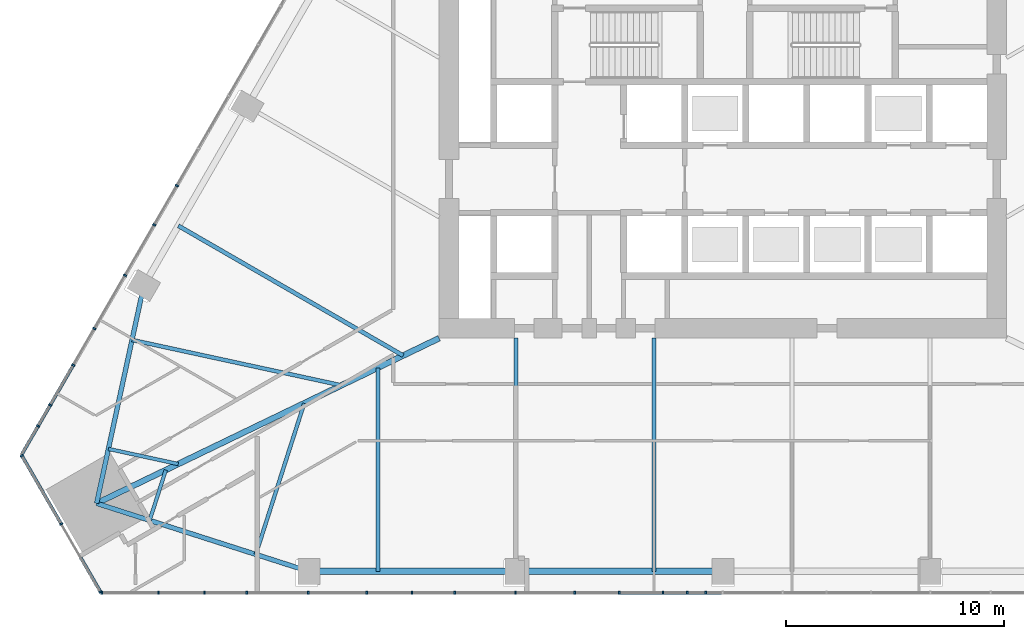
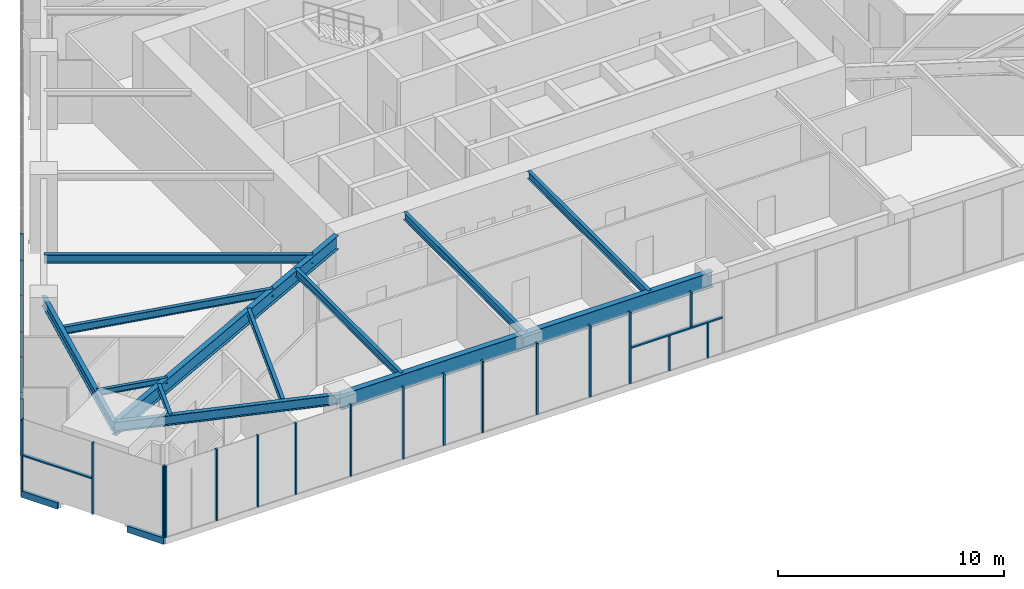
# One storey, part 2 of 21: 29 members, 12 beams, 3 elements without a shape of their own.
"""IFC4 building model written with IfcOpenShell, lengths in metres."""

from ifc_helpers import new_model, si_unit, direction, frame, origin, origin_2d, place, context, subcontext, project, spatial, rectangle, i_section, extrude, material, layer, layer_set, material_profile, profile_set, type_object, element, aggregate, save


model = new_model("IFC4")

# Units and contexts
model_context = context("Model", 3, precision=1e-05, world=origin(), true_north=direction((0.0, 1.0)))
body_context = subcontext(model_context, "Body", "Model", "MODEL_VIEW")
ifc_project = project(units=[si_unit("LENGTHUNIT", "METRE"), si_unit("AREAUNIT", "SQUARE_METRE"), si_unit("VOLUMEUNIT", "CUBIC_METRE"), si_unit("PLANEANGLEUNIT", "RADIAN"), si_unit("MASSUNIT", "GRAM", prefix="KILO")], contexts=[model_context])

# Site, building, storey
site_placement = place(None, origin())
site = spatial("IfcSite", under=ifc_project, at=site_placement, CompositionType="ELEMENT")
building_placement = place(site_placement, origin())
building = spatial("IfcBuilding", under=site, at=building_placement, Name="Firuza Gate Tower and Library", CompositionType="ELEMENT")
storey_placement = place(building_placement, frame((0.0, 0.0, 69.39990234375)))
storey = spatial("IfcBuildingStorey", under=building, at=storey_placement, Name="L15", CompositionType="ELEMENT", Elevation=69.39990234375)

# Curtain wall, members
ifc_material_1 = material(Name="Aluminium 6063-T6", Category="aluminium")
ifc_layer_1 = layer(ifc_material_1, 0.14990234375)
ifc_layer_set_1 = layer_set([ifc_layer_1], Name="Unitised curtain wall, offices")
curtain_wall_type_1 = type_object("IfcCurtainWallType", Name="Unitised curtain wall, offices", PredefinedType="NOTDEFINED", material=ifc_layer_set_1)
placement = place(storey_placement, origin())
curtain_wall_1 = element("IfcCurtainWall", 1, at=placement, inside=storey, type_object=curtain_wall_type_1, Name="CW1 L15 S face", PredefinedType="NOTDEFINED")
ifc_material_2 = material(Name="Aluminium 6063-T6", Category="aluminium")
ifc_material_profile_1 = material_profile(ifc_material_2, rectangle(XDim=0.14990234375, YDim=0.080078125, at=origin_2d()))
ifc_profile_set_1 = profile_set([ifc_material_profile_1], Name="Aluminium 6063-T6")
member_type_1 = type_object("IfcMemberType", Name="Curtain wall mullion 80x150", PredefinedType="MULLION", material=ifc_profile_set_1)
member_1_placement = place(storey_placement, frame((46.540771484375, 54.339111328125, 0.150146484375), z_axis=(0.0, 0.0, 1.0), x_axis=(0.0, 1.0, 0.0)))
member_1 = element("IfcMember", 2, at=member_1_placement, type_object=member_type_1, Name="Mullion", PredefinedType="MULLION", context=body_context, shape_type="SweptSolid", body=[
    extrude(rectangle(XDim=0.14990234375, YDim=0.080078125, at=origin_2d()), origin(), (0.0, 0.0, 1.0), 3.849853515625),
])
member_2_placement = place(storey_placement, frame((51.250732421875, 54.339111328125, 0.150146484375), z_axis=(0.0, 0.0, 1.0), x_axis=(0.0, 1.0, 0.0)))
member_2 = element("IfcMember", 3, at=member_2_placement, type_object=member_type_1, Name="Mullion", PredefinedType="MULLION", context=body_context, shape_type="SweptSolid", body=[
    extrude(rectangle(XDim=0.14990234375, YDim=0.080078125, at=origin_2d()), origin(), (0.0, 0.0, 1.0), 3.849853515625),
])
member_3_placement = place(storey_placement, frame((56.00048828125, 54.339111328125, 0.150146484375), z_axis=(0.0, 0.0, 1.0), x_axis=(0.0, 1.0, 0.0)))
member_3 = element("IfcMember", 4, at=member_3_placement, type_object=member_type_1, Name="Mullion", PredefinedType="MULLION", context=body_context, shape_type="SweptSolid", body=[
    extrude(rectangle(XDim=0.14990234375, YDim=0.080078125, at=origin_2d()), origin(), (0.0, 0.0, 1.0), 3.849853515625),
])
member_4_placement = place(storey_placement, frame((60.75048828125, 54.339111328125, 0.150146484375), z_axis=(0.0, 0.0, 1.0), x_axis=(0.0, 1.0, 0.0)))
member_4 = element("IfcMember", 5, at=member_4_placement, type_object=member_type_1, Name="Mullion", PredefinedType="MULLION", context=body_context, shape_type="SweptSolid", body=[
    extrude(rectangle(XDim=0.14990234375, YDim=0.080078125, at=origin_2d()), origin(), (0.0, 0.0, 1.0), 3.849853515625),
])
member_5_placement = place(storey_placement, frame((65.500244140625, 54.339111328125, 0.150146484375), z_axis=(0.0, 0.0, 1.0), x_axis=(0.0, 1.0, 0.0)))
member_5 = element("IfcMember", 6, at=member_5_placement, type_object=member_type_1, Name="Mullion", PredefinedType="MULLION", context=body_context, shape_type="SweptSolid", body=[
    extrude(rectangle(XDim=0.14990234375, YDim=0.080078125, at=origin_2d()), origin(), (0.0, 0.0, 1.0), 3.849853515625),
])
member_6_placement = place(storey_placement, frame((70.250244140625, 54.339111328125, 0.150146484375), z_axis=(0.0, 0.0, 1.0), x_axis=(0.0, 1.0, 0.0)))
member_6 = element("IfcMember", 7, at=member_6_placement, type_object=member_type_1, Name="Mullion", PredefinedType="MULLION", context=body_context, shape_type="SweptSolid", body=[
    extrude(rectangle(XDim=0.14990234375, YDim=0.080078125, at=origin_2d()), origin(), (0.0, 0.0, 1.0), 3.849853515625),
])
member_7_placement = place(storey_placement, frame((49.142578125, 54.339111328125, 0.150146484375), z_axis=(0.0, 0.0, 1.0), x_axis=(0.0, 1.0, 0.0)))
member_7 = element("IfcMember", 8, at=member_7_placement, type_object=member_type_1, Name="Mullion", PredefinedType="MULLION", context=body_context, shape_type="SweptSolid", body=[
    extrude(rectangle(XDim=0.14990234375, YDim=0.080078125, at=origin_2d()), origin(), (0.0, 0.0, 1.0), 3.849853515625),
])
member_8_placement = place(storey_placement, frame((53.18505859375, 54.339111328125, 0.150146484375), z_axis=(0.0, 0.0, 1.0), x_axis=(0.0, 1.0, 0.0)))
member_8 = element("IfcMember", 9, at=member_8_placement, type_object=member_type_1, Name="Mullion", PredefinedType="MULLION", context=body_context, shape_type="SweptSolid", body=[
    extrude(rectangle(XDim=0.14990234375, YDim=0.080078125, at=origin_2d()), origin(), (0.0, 0.0, 1.0), 3.849853515625),
])
member_9_placement = place(storey_placement, frame((58.677001953125, 54.339111328125, 0.150146484375), z_axis=(0.0, 0.0, 1.0), x_axis=(0.0, 1.0, 0.0)))
member_9 = element("IfcMember", 10, at=member_9_placement, type_object=member_type_1, Name="Mullion", PredefinedType="MULLION", context=body_context, shape_type="SweptSolid", body=[
    extrude(rectangle(XDim=0.14990234375, YDim=0.080078125, at=origin_2d()), origin(), (0.0, 0.0, 1.0), 3.849853515625),
])
member_10_placement = place(storey_placement, frame((62.7197265625, 54.339111328125, 0.150146484375), z_axis=(0.0, 0.0, 1.0), x_axis=(0.0, 1.0, 0.0)))
member_10 = element("IfcMember", 11, at=member_10_placement, type_object=member_type_1, Name="Mullion", PredefinedType="MULLION", context=body_context, shape_type="SweptSolid", body=[
    extrude(rectangle(XDim=0.14990234375, YDim=0.080078125, at=origin_2d()), origin(), (0.0, 0.0, 1.0), 3.849853515625),
])
member_11_placement = place(storey_placement, frame((68.21142578125, 54.339111328125, 0.150146484375), z_axis=(0.0, 0.0, 1.0), x_axis=(0.0, 1.0, 0.0)))
member_11 = element("IfcMember", 12, at=member_11_placement, type_object=member_type_1, Name="Mullion", PredefinedType="MULLION", context=body_context, shape_type="SweptSolid", body=[
    extrude(rectangle(XDim=0.14990234375, YDim=0.080078125, at=origin_2d()), origin(), (0.0, 0.0, 1.0), 3.849853515625),
])
member_12_placement = place(storey_placement, frame((72.254150390625, 54.339111328125, 0.150146484375), z_axis=(0.0, 0.0, 1.0), x_axis=(0.0, 1.0, 0.0)))
member_12 = element("IfcMember", 13, at=member_12_placement, type_object=member_type_1, Name="Mullion", PredefinedType="MULLION", context=body_context, shape_type="SweptSolid", body=[
    extrude(rectangle(XDim=0.14990234375, YDim=0.080078125, at=origin_2d()), origin(), (0.0, 0.0, 1.0), 1.885009765625),
])
member_13_placement = place(storey_placement, frame((74.21875, 54.339111328125, 0.150146484375), z_axis=(0.0, 0.0, 1.0), x_axis=(0.0, 1.0, 0.0)))
member_13 = element("IfcMember", 14, at=member_13_placement, type_object=member_type_1, Name="Mullion", PredefinedType="MULLION", context=body_context, shape_type="SweptSolid", body=[
    extrude(rectangle(XDim=0.14990234375, YDim=0.080078125, at=origin_2d()), origin(), (0.0, 0.0, 1.0), 1.885009765625),
])
member_14_placement = place(storey_placement, frame((73.369384765625, 54.339111328125, 2.114990234375), z_axis=(0.0, 0.0, 1.0), x_axis=(0.0, 1.0, 0.0)))
member_14 = element("IfcMember", 15, at=member_14_placement, type_object=member_type_1, Name="Mullion", PredefinedType="MULLION", context=body_context, shape_type="SweptSolid", body=[
    extrude(rectangle(XDim=0.14990234375, YDim=0.080078125, at=origin_2d()), origin(), (0.0, 0.0, 1.0), 1.885009765625),
])

curtain_wall_2 = element("IfcCurtainWall", 16, at=placement, inside=storey, type_object=curtain_wall_type_1, Name="CW1 L15 W face", PredefinedType="NOTDEFINED")
member_15_placement = place(storey_placement, frame((49.982177734375, 72.989990234375, 0.150146484375), z_axis=(0.0, 0.0, 1.0), x_axis=(0.866025403784, -0.5, 0.0)))
member_15 = element("IfcMember", 17, at=member_15_placement, type_object=member_type_1, Name="Mullion", PredefinedType="MULLION", context=body_context, shape_type="SweptSolid", body=[
    extrude(rectangle(XDim=0.14990234375, YDim=0.080078125, at=origin_2d()), origin(), (0.0, 0.0, 1.0), 3.849853515625),
])
member_16_placement = place(storey_placement, frame((47.607421875, 68.87646484375, 0.150146484375), z_axis=(0.0, 0.0, 1.0), x_axis=(0.866025403784, -0.5, 0.0)))
member_16 = element("IfcMember", 18, at=member_16_placement, type_object=member_type_1, Name="Mullion", PredefinedType="MULLION", context=body_context, shape_type="SweptSolid", body=[
    extrude(rectangle(XDim=0.14990234375, YDim=0.080078125, at=origin_2d()), origin(), (0.0, 0.0, 1.0), 3.849853515625),
])
member_17_placement = place(storey_placement, frame((45.232421875, 64.762939453125, 0.150146484375), z_axis=(0.0, 0.0, 1.0), x_axis=(0.866025403784, -0.5, 0.0)))
member_17 = element("IfcMember", 19, at=member_17_placement, type_object=member_type_1, Name="Mullion", PredefinedType="MULLION", context=body_context, shape_type="SweptSolid", body=[
    extrude(rectangle(XDim=0.14990234375, YDim=0.080078125, at=origin_2d()), origin(), (0.0, 0.0, 1.0), 3.849853515625),
])
member_18_placement = place(storey_placement, frame((48.945556640625, 71.1943359375, 0.150146484375), z_axis=(0.0, 0.0, 1.0), x_axis=(0.866025403784, -0.5, 0.0)))
member_18 = element("IfcMember", 20, at=member_18_placement, type_object=member_type_1, Name="Mullion", PredefinedType="MULLION", context=body_context, shape_type="SweptSolid", body=[
    extrude(rectangle(XDim=0.14990234375, YDim=0.080078125, at=origin_2d()), origin(), (0.0, 0.0, 1.0), 3.849853515625),
])
member_19_placement = place(storey_placement, frame((46.19970703125, 66.438232421875, 0.150146484375), z_axis=(0.0, 0.0, 1.0), x_axis=(0.866025403784, -0.5, 0.0)))
member_19 = element("IfcMember", 21, at=member_19_placement, type_object=member_type_1, Name="Mullion", PredefinedType="MULLION", context=body_context, shape_type="SweptSolid", body=[
    extrude(rectangle(XDim=0.14990234375, YDim=0.080078125, at=origin_2d()), origin(), (0.0, 0.0, 1.0), 3.849853515625),
])
member_20_placement = place(storey_placement, frame((44.178466796875, 62.937255859375, 0.150146484375), z_axis=(0.0, 0.0, 1.0), x_axis=(0.866025403784, -0.5, 0.0)))
member_20 = element("IfcMember", 22, at=member_20_placement, type_object=member_type_1, Name="Mullion", PredefinedType="MULLION", context=body_context, shape_type="SweptSolid", body=[
    extrude(rectangle(XDim=0.14990234375, YDim=0.080078125, at=origin_2d()), origin(), (0.0, 0.0, 1.0), 1.885009765625),
])
member_21_placement = place(storey_placement, frame((43.620849609375, 61.971435546875, 2.114990234375), z_axis=(0.0, 0.0, 1.0), x_axis=(0.866025403784, -0.5, 0.0)))
member_21 = element("IfcMember", 23, at=member_21_placement, type_object=member_type_1, Name="Mullion", PredefinedType="MULLION", context=body_context, shape_type="SweptSolid", body=[
    extrude(rectangle(XDim=0.14990234375, YDim=0.080078125, at=origin_2d()), origin(), (0.0, 0.0, 1.0), 1.885009765625),
])

ifc_material_3 = material(Name="Aluminium 6063-T6", Category="aluminium")
ifc_layer_2 = layer(ifc_material_3, 0.14990234375)
ifc_layer_set_2 = layer_set([ifc_layer_2], Name="Corner curtain wall, chamfers")
curtain_wall_type_2 = type_object("IfcCurtainWallType", Name="Corner curtain wall, chamfers", PredefinedType="NOTDEFINED", material=ifc_layer_set_2)
curtain_wall_3 = element("IfcCurtainWall", 24, at=placement, inside=storey, type_object=curtain_wall_type_2, Name="CW4 L15 SW corner", PredefinedType="NOTDEFINED")
member_22_placement = place(storey_placement, frame((42.87744140625, 60.61474609375, 0.150146484375), z_axis=(0.0, 0.0, 1.0), x_axis=(0.866025403784, 0.5, 0.0)))
member_22 = element("IfcMember", 25, at=member_22_placement, type_object=member_type_1, Name="Mullion", PredefinedType="MULLION", context=body_context, shape_type="SweptSolid", body=[
    extrude(rectangle(XDim=0.14990234375, YDim=0.080078125, at=origin_2d()), origin(), (0.0, 0.0, 1.0), 3.849853515625),
])
member_23_placement = place(storey_placement, frame((44.67919921875, 57.494140625, 0.150146484375), z_axis=(0.0, 0.0, 1.0), x_axis=(0.866025403784, 0.5, 0.0)))
member_23 = element("IfcMember", 26, at=member_23_placement, type_object=member_type_1, Name="Mullion", PredefinedType="MULLION", context=body_context, shape_type="SweptSolid", body=[
    extrude(rectangle(XDim=0.14990234375, YDim=0.080078125, at=origin_2d()), origin(), (0.0, 0.0, 1.0), 3.849853515625),
])
member_24_placement = place(storey_placement, frame((46.480712890625, 54.373779296875, 0.150146484375), z_axis=(0.0, 0.0, 1.0), x_axis=(0.866025403784, 0.5, 0.0)))
member_24 = element("IfcMember", 27, at=member_24_placement, type_object=member_type_1, Name="Mullion", PredefinedType="MULLION", context=body_context, shape_type="SweptSolid", body=[
    extrude(rectangle(XDim=0.14990234375, YDim=0.080078125, at=origin_2d()), origin(), (0.0, 0.0, 1.0), 3.849853515625),
])
ifc_material_4 = material(Name="Aluminium 6063-T6", Category="aluminium")
ifc_material_profile_2 = material_profile(ifc_material_4, rectangle(XDim=0.14990234375, YDim=0.35009765625, at=origin_2d()))
ifc_profile_set_2 = profile_set([ifc_material_profile_2], Name="Aluminium 6063-T6")
member_type_2 = type_object("IfcMemberType", Name="Curtain wall transom 350x150", PredefinedType="USERDEFINED", material=ifc_profile_set_2)
member_25_placement = place(storey_placement, frame((42.857421875, 60.6494140625, -0.02490234375), z_axis=(0.500070225731, -0.865984855143, 0.0), x_axis=(0.865984855143, 0.500070225731, 0.0)))
member_25 = element("IfcMember", 28, at=member_25_placement, type_object=member_type_2, Name="Transom", ObjectType="TRANSOM", PredefinedType="USERDEFINED", context=body_context, shape_type="SweptSolid", body=[
    extrude(rectangle(XDim=0.14990234375, YDim=0.35009765625, at=origin_2d()), origin(), (0.0, 0.0, 1.0), 1.863525390625),
])
member_26_placement = place(storey_placement, frame((45.569091796875, 55.952880859375, -0.02490234375), z_axis=(0.499971966783, -0.866041588165, 0.0), x_axis=(0.866041588165, 0.499971966783, 0.0)))
member_26 = element("IfcMember", 29, at=member_26_placement, type_object=member_type_2, Name="Transom", ObjectType="TRANSOM", PredefinedType="USERDEFINED", context=body_context, shape_type="SweptSolid", body=[
    extrude(rectangle(XDim=0.14990234375, YDim=0.35009765625, at=origin_2d()), origin(), (0.0, 0.0, 1.0), 1.86328125),
])

# Member
ifc_material_5 = material(Name="Aluminium 6063-T6", Category="aluminium")
ifc_material_profile_3 = material_profile(ifc_material_5, rectangle(XDim=0.14990234375, YDim=0.080078125, at=origin_2d()))
ifc_profile_set_3 = profile_set([ifc_material_profile_3], Name="Aluminium 6063-T6")
member_type_3 = type_object("IfcMemberType", Name="Curtain wall transom 80x150", PredefinedType="USERDEFINED", material=ifc_profile_set_3)
member_27_placement = place(storey_placement, frame((70.2900390625, 54.339111328125, 2.0751953125), z_axis=(1.0, 0.0, 0.0), x_axis=(0.0, 1.0, 0.0)))
member_27 = element("IfcMember", 30, at=member_27_placement, type_object=member_type_3, Name="Transom", ObjectType="TRANSOM", PredefinedType="USERDEFINED", context=body_context, shape_type="SweptSolid", body=[
    extrude(rectangle(XDim=0.14990234375, YDim=0.080078125, at=origin_2d()), origin(), (0.0, 0.0, 1.0), 4.669921875),
])

aggregate(curtain_wall_1, [member_1, member_2, member_3, member_4, member_5, member_6, member_7, member_8, member_9, member_10, member_11, member_12, member_13, member_14, member_27])

member_28_placement = place(storey_placement, frame((45.21240234375, 64.728271484375, 2.0751953125), z_axis=(-0.500007559336, -0.866021039356, 0.0), x_axis=(0.866021039356, -0.500007559336, 0.0)))
member_28 = element("IfcMember", 31, at=member_28_placement, type_object=member_type_3, Name="Transom", ObjectType="TRANSOM", PredefinedType="USERDEFINED", context=body_context, shape_type="SweptSolid", body=[
    extrude(rectangle(XDim=0.14990234375, YDim=0.080078125, at=origin_2d()), origin(), (0.0, 0.0, 1.0), 4.669921875),
])

aggregate(curtain_wall_2, [member_15, member_16, member_17, member_18, member_19, member_20, member_21, member_28])

member_29_placement = place(storey_placement, frame((42.87744140625, 60.61474609375, 2.0751953125), z_axis=(0.500015035186, -0.866016723041, 0.0), x_axis=(0.866016723041, 0.500015035186, 0.0)))
member_29 = element("IfcMember", 32, at=member_29_placement, type_object=member_type_3, Name="Transom", ObjectType="TRANSOM", PredefinedType="USERDEFINED", context=body_context, shape_type="SweptSolid", body=[
    extrude(rectangle(XDim=0.14990234375, YDim=0.080078125, at=origin_2d()), origin(), (0.0, 0.0, 1.0), 3.5634765625),
])

aggregate(curtain_wall_3, [member_22, member_23, member_24, member_25, member_26, member_29])

# Beams
ifc_material_6 = material(Name="Steel S355", Category="steel")
ifc_material_profile_4 = material_profile(ifc_material_6, i_section(OverallWidth=0.1650390625, OverallDepth=0.31005859375, WebThickness=0.005859375, FlangeThickness=0.009765625, at=origin_2d()))
ifc_profile_set_4 = profile_set([ifc_material_profile_4], Name="Steel S355")
beam_type_1 = type_object("IfcBeamType", Name="W310x39 Floor beam", PredefinedType="JOIST", material=ifc_profile_set_4)
beam_1_placement = place(storey_placement, frame((46.84375, 60.92724609375, 3.84521484375), z_axis=(0.97732159581, -0.211760474035, 0.0), x_axis=(0.211760474035, 0.97732159581, 0.0)))
element("IfcBeam", 33, at=beam_1_placement, inside=storey, type_object=beam_type_1, Name="Floor beam L15 s01", PredefinedType="JOIST", context=body_context, shape_type="SweptSolid", body=[
    extrude(i_section(OverallWidth=0.1650390625, OverallDepth=0.31005859375, WebThickness=0.005859375, FlangeThickness=0.009765625, at=origin_2d()), origin(), (0.0, 0.0, 1.0), 3.27197265625),
])
beam_2_placement = place(storey_placement, frame((48.734619140625, 57.65234375, 3.84521484375), z_axis=(0.305239756839, 0.952275533049, 0.0), x_axis=(-0.952275533049, 0.305239756839, 0.0)))
element("IfcBeam", 34, at=beam_2_placement, inside=storey, type_object=beam_type_1, Name="Floor beam L15 s10", PredefinedType="JOIST", context=body_context, shape_type="SweptSolid", body=[
    extrude(i_section(OverallWidth=0.1650390625, OverallDepth=0.31005859375, WebThickness=0.005859375, FlangeThickness=0.009765625, at=origin_2d()), origin(), (0.0, 0.0, 1.0), 2.42431640625),
])
ifc_material_7 = material(Name="Steel S355", Category="steel")
ifc_material_profile_5 = material_profile(ifc_material_7, i_section(OverallWidth=0.1708984375, OverallDepth=0.35498046875, WebThickness=0.007080078125, FlangeThickness=0.01171875, at=origin_2d()))
ifc_profile_set_5 = profile_set([ifc_material_profile_5], Name="Steel S355")
beam_type_2 = type_object("IfcBeamType", Name="W360x51 Floor beam", PredefinedType="JOIST", material=ifc_profile_set_5)
beam_3_placement = place(storey_placement, frame((53.597900390625, 56.093505859375, 3.822509765625), z_axis=(0.305239756839, 0.952275533049, 0.0), x_axis=(-0.952275533049, 0.305239756839, 0.0)))
element("IfcBeam", 35, at=beam_3_placement, inside=storey, type_object=beam_type_2, Name="Floor beam L15 s11", PredefinedType="JOIST", context=body_context, shape_type="SweptSolid", body=[
    extrude(i_section(OverallWidth=0.1708984375, OverallDepth=0.35498046875, WebThickness=0.007080078125, FlangeThickness=0.01171875, at=origin_2d()), origin(), (0.0, 0.0, 1.0), 7.27294921875),
])
ifc_material_8 = material(Name="Steel S355", Category="steel")
ifc_material_profile_6 = material_profile(ifc_material_8, i_section(OverallWidth=0.177978515625, OverallDepth=0.406982421875, WebThickness=0.0078125, FlangeThickness=0.0126953125, at=origin_2d()))
ifc_profile_set_6 = profile_set([ifc_material_profile_6], Name="Steel S355")
beam_type_3 = type_object("IfcBeamType", Name="W410x60 Floor beam", PredefinedType="JOIST", material=ifc_profile_set_6)
beam_4_placement = place(storey_placement, frame((47.92529296875, 65.91845703125, 3.796630859375), z_axis=(0.9773124156, -0.211802838306, 0.0), x_axis=(0.211802838306, 0.9773124156, 0.0)))
element("IfcBeam", 36, at=beam_4_placement, inside=storey, type_object=beam_type_3, Name="Floor beam L15 s00", PredefinedType="JOIST", context=body_context, shape_type="SweptSolid", body=[
    extrude(i_section(OverallWidth=0.177978515625, OverallDepth=0.406982421875, WebThickness=0.0078125, FlangeThickness=0.0126953125, at=origin_2d()), origin(), (0.0, 0.0, 1.0), 9.816162109375),
])
beam_5_placement = place(storey_placement, frame((59.191162109375, 55.31396484375, 3.796630859375), z_axis=(0.0, 1.0, 0.0), x_axis=(-1.0, 0.0, 0.0)))
element("IfcBeam", 37, at=beam_5_placement, inside=storey, type_object=beam_type_3, Name="Floor beam L15 s20", PredefinedType="JOIST", context=body_context, shape_type="SweptSolid", body=[
    extrude(i_section(OverallWidth=0.177978515625, OverallDepth=0.406982421875, WebThickness=0.0078125, FlangeThickness=0.0126953125, at=origin_2d()), origin(), (0.0, 0.0, 1.0), 9.331787109375),
])
for number, where, z_axis, x_axis, name in (
    (38, (65.5146484375, 55.31396484375, 3.796630859375), (0.0, 1.0, 0.0), (-1.0, 0.0, 0.0), "Floor beam L15 s21"),
    (39, (71.838134765625, 55.31396484375, 3.796630859375), (0.0, 1.0, 0.0), (-1.0, 0.0, 0.0), "Floor beam L15 s22"),
):
    element("IfcBeam", number, at=place(storey_placement, frame(where, z_axis=z_axis, x_axis=x_axis)), inside=storey, type_object=beam_type_3, Name=name, PredefinedType="JOIST", context=body_context, shape_type="SweptSolid", body=[
        extrude(i_section(OverallWidth=0.177978515625, OverallDepth=0.406982421875, WebThickness=0.0078125, FlangeThickness=0.0126953125, at=origin_2d()), origin(), (0.0, 0.0, 1.0), 10.68603515625),
    ])
ifc_material_9 = material(Name="Steel S355", Category="steel")
ifc_material_profile_7 = material_profile(ifc_material_9, i_section(OverallWidth=0.18994140625, OverallDepth=0.45703125, WebThickness=0.009033203125, FlangeThickness=0.014404296875, at=origin_2d()))
ifc_profile_set_7 = profile_set([ifc_material_profile_7], Name="Steel S355")
beam_type_4 = type_object("IfcBeamType", Name="W460x74 Floor beam", PredefinedType="JOIST", material=ifc_profile_set_7)
beam_6_placement = place(storey_placement, frame((50.047119140625, 71.152099609375, 3.771484375), z_axis=(0.866025640697, -0.499999589656, 0.0), x_axis=(0.499999589656, 0.866025640697, 0.0)))
element("IfcBeam", 40, at=beam_6_placement, inside=storey, type_object=beam_type_4, Name="Floor beam L15 s85", PredefinedType="JOIST", context=body_context, shape_type="SweptSolid", body=[
    extrude(i_section(OverallWidth=0.18994140625, OverallDepth=0.45703125, WebThickness=0.009033203125, FlangeThickness=0.014404296875, at=origin_2d()), origin(), (0.0, 0.0, 1.0), 11.89599609375),
])
ifc_material_10 = material(Name="Steel S355", Category="steel")
ifc_material_profile_8 = material_profile(ifc_material_10, i_section(OverallWidth=0.212890625, OverallDepth=0.5390625, WebThickness=0.01171875, FlangeThickness=0.018798828125, at=origin_2d()))
ifc_profile_set_8 = profile_set([ifc_material_profile_8], Name="Steel S355")
beam_type_5 = type_object("IfcBeamType", Name="W530x109 Edge beam", PredefinedType="SPANDREL", material=ifc_profile_set_8)
beam_7_placement = place(storey_placement, frame((48.466064453125, 68.4140625, 3.730712890625), z_axis=(-0.211774655481, -0.977318522947, 0.0), x_axis=(0.977318522947, -0.211774655481, 0.0)))
element("IfcBeam", 41, at=beam_7_placement, inside=storey, type_object=beam_type_5, Name="Edge beam L15 e00", PredefinedType="SPANDREL", context=body_context, shape_type="SweptSolid", body=[
    extrude(i_section(OverallWidth=0.212890625, OverallDepth=0.5390625, WebThickness=0.01171875, FlangeThickness=0.018798828125, at=origin_2d()), origin(), (0.0, 0.0, 1.0), 10.214111328125),
])
beam_8_placement = place(storey_placement, frame((46.302978515625, 58.431640625, 3.730712890625), z_axis=(0.952274716719, -0.305242303584, 0.0), x_axis=(0.305242303584, 0.952274716719, 0.0)))
element("IfcBeam", 42, at=beam_8_placement, inside=storey, type_object=beam_type_5, Name="Edge beam L15 e10", PredefinedType="SPANDREL", context=body_context, shape_type="SweptSolid", body=[
    extrude(i_section(OverallWidth=0.212890625, OverallDepth=0.5390625, WebThickness=0.01171875, FlangeThickness=0.018798828125, at=origin_2d()), origin(), (0.0, 0.0, 1.0), 10.2138671875),
])
ifc_material_11 = material(Name="Steel S355", Category="steel")
ifc_material_profile_9 = material_profile(ifc_material_11, i_section(OverallWidth=0.264892578125, OverallDepth=0.7529296875, WebThickness=0.01318359375, FlangeThickness=0.01708984375, at=origin_2d()))
ifc_profile_set_9 = profile_set([ifc_material_profile_9], Name="Steel S355")
beam_type_6 = type_object("IfcBeamType", Name="W760x147 Girder", PredefinedType="BEAM", material=ifc_profile_set_9)
beam_9_placement = place(storey_placement, frame((46.302978515625, 58.431640625, 3.62353515625), z_axis=(0.900765255898, 0.434306290269, 0.0), x_axis=(-0.434306290269, 0.900765255898, 0.0)))
element("IfcBeam", 43, at=beam_9_placement, inside=storey, type_object=beam_type_6, Name="Girder L15 gSW", PredefinedType="BEAM", context=body_context, shape_type="SweptSolid", body=[
    extrude(i_section(OverallWidth=0.264892578125, OverallDepth=0.7529296875, WebThickness=0.01318359375, FlangeThickness=0.01708984375, at=origin_2d()), origin(), (0.0, 0.0, 1.0), 17.42626953125),
])
ifc_material_12 = material(Name="Steel S355", Category="steel")
ifc_material_profile_10 = material_profile(ifc_material_12, i_section(OverallWidth=0.2919921875, OverallDepth=0.8349609375, WebThickness=0.013916015625, FlangeThickness=0.018798828125, at=origin_2d()))
ifc_profile_set_10 = profile_set([ifc_material_profile_10], Name="Steel S355")
beam_type_7 = type_object("IfcBeamType", Name="W840x176 Edge beam", PredefinedType="SPANDREL", material=ifc_profile_set_10)
beam_10_placement = place(storey_placement, frame((56.029296875, 55.31396484375, 3.58251953125), z_axis=(1.0, 0.0, 0.0), x_axis=(0.0, 1.0, 0.0)))
element("IfcBeam", 44, at=beam_10_placement, inside=storey, type_object=beam_type_7, Name="Edge beam L15 e20", PredefinedType="SPANDREL", context=body_context, shape_type="SweptSolid", body=[
    extrude(i_section(OverallWidth=0.2919921875, OverallDepth=0.8349609375, WebThickness=0.013916015625, FlangeThickness=0.018798828125, at=origin_2d()), origin(), (0.0, 0.0, 1.0), 18.970703125),
])

save(model, "model.ifc")
